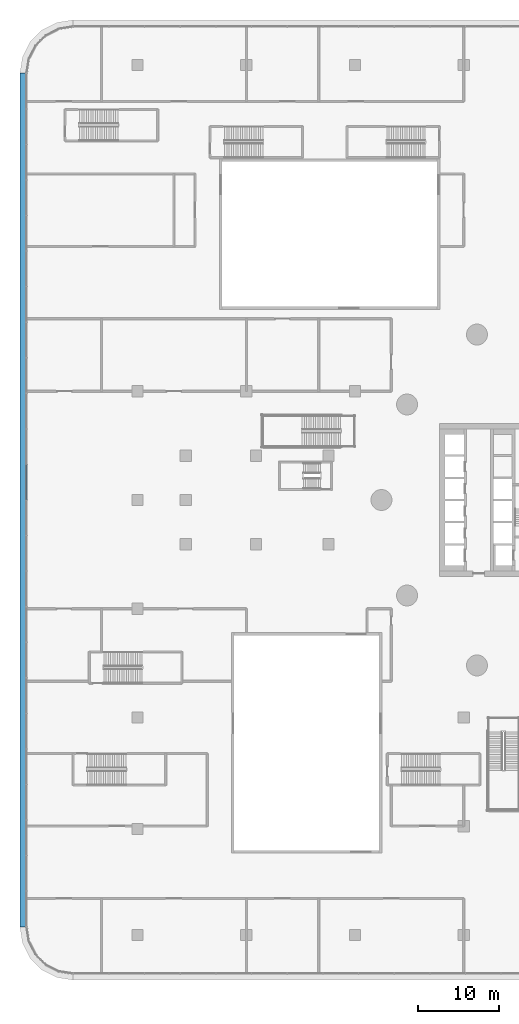
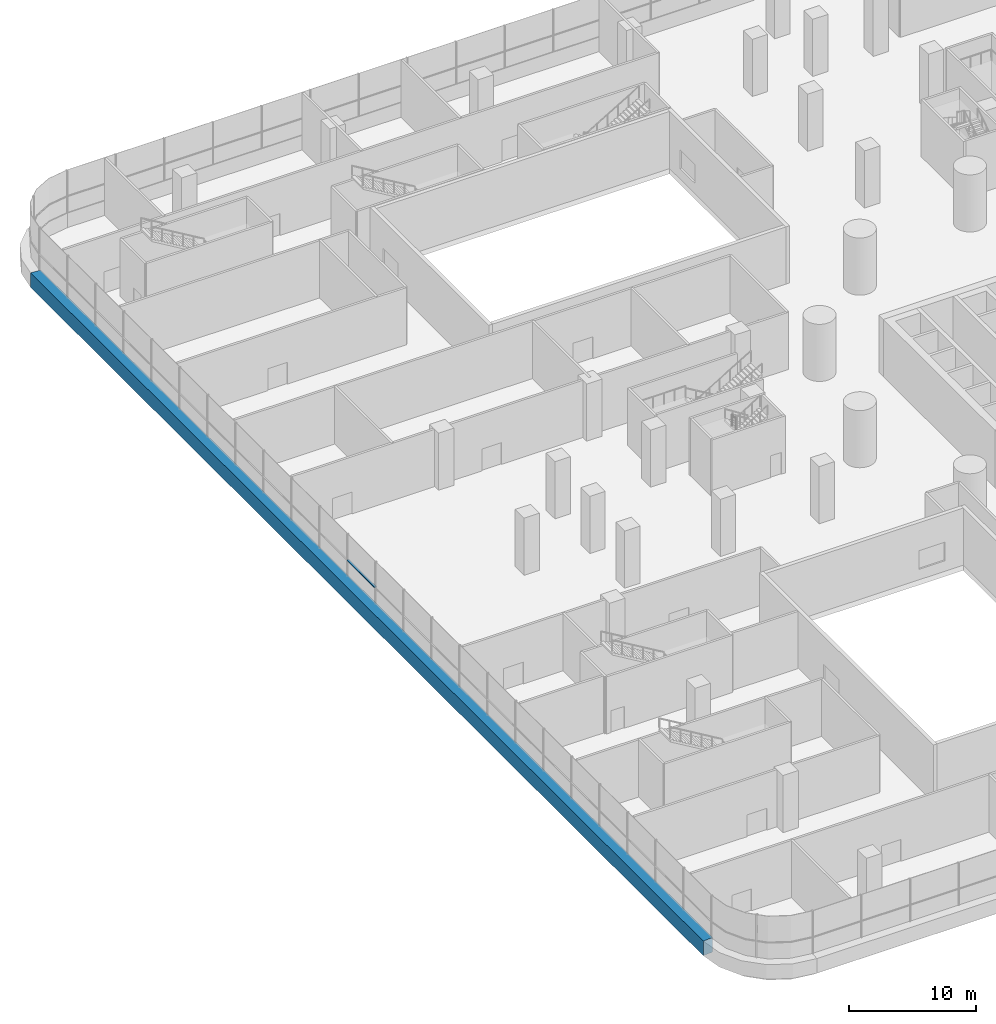
# One storey, part 6 of 52: 2 members, 1 element without a shape of its own.
"""IFC4 building model written with IfcOpenShell, lengths in metres."""

from ifc_helpers import new_model, si_unit, direction, frame, origin, place, context, subcontext, project, spatial, polyline, outline, extrude, material, layer, layer_set, type_object, element, aggregate, save


model = new_model("IFC4")

# Units and contexts
model_context = context("Model", 3, precision=1e-05, world=origin(), true_north=direction((0.0, 1.0)))
body_context = subcontext(model_context, "Body", "Model", "MODEL_VIEW")
ifc_project = project(units=[si_unit("LENGTHUNIT", "METRE"), si_unit("AREAUNIT", "SQUARE_METRE"), si_unit("VOLUMEUNIT", "CUBIC_METRE"), si_unit("PLANEANGLEUNIT", "RADIAN"), si_unit("MASSUNIT", "GRAM", prefix="KILO")], contexts=[model_context])

# Site, building, storey
site_placement = place(None, origin())
site = spatial("IfcSite", under=ifc_project, at=site_placement, CompositionType="ELEMENT")
building_placement = place(site_placement, origin())
building = spatial("IfcBuilding", under=site, at=building_placement, Name="Tamarind Cross Interchange Tower", CompositionType="ELEMENT")
storey_placement = place(building_placement, frame((0.0, 0.0, 9.0)))
storey = spatial("IfcBuildingStorey", under=building, at=storey_placement, Name="L01", CompositionType="ELEMENT", Elevation=9.0)

# Curtain wall, members
ifc_material_1 = material(Name="Aluminium 6063-T6", Category="aluminium")
ifc_layer = layer(ifc_material_1, 0.199951171875)
ifc_layer_set = layer_set([ifc_layer], Name="Aluminium 6063-T6")
curtain_wall_type = type_object("IfcCurtainWallType", Name="Podium shopfront and station curtain wall", PredefinedType="NOTDEFINED", material=ifc_layer_set)
curtain_wall_placement = place(storey_placement, origin())
curtain_wall = element("IfcCurtainWall", 1, at=curtain_wall_placement, inside=storey, type_object=curtain_wall_type, Name="CWS-L01-04", PredefinedType="NOTDEFINED")
ifc_material_2 = material(Name="Aluminium and insulated spandrel panel", Category="aluminium")
member_type_1 = type_object("IfcMemberType", Name="Floor-edge blade transom", PredefinedType="USERDEFINED", material=ifc_material_2)
member_1_placement = place(storey_placement, origin())
member_1 = element("IfcMember", 2, at=member_1_placement, type_object=member_type_1, Name="CWT-L01-04", ObjectType="TRANSOM", PredefinedType="USERDEFINED", context=body_context, shape_type="SweptSolid", body=[
    extrude(outline(polyline([(-67.699951171875, 52.976318359375), (-67.699951171875, -52.976318359375), (-68.60009765625, -53.047119140625), (-68.60009765625, 53.047119140625), (-67.699951171875, 52.976318359375)])), origin(), (0.0, 0.0, 1.0), 1.39990234375),
])
member_type_2 = type_object("IfcMemberType", Name="Podium intermediate transom", PredefinedType="USERDEFINED", material=ifc_material_1)
member_2_placement = place(storey_placement, frame((0.0, 0.0, 2.969970703125)))
member_2 = element("IfcMember", 3, at=member_2_placement, type_object=member_type_2, Name="CWT-L01-04-I0-11", ObjectType="TRANSOM", PredefinedType="USERDEFINED", context=body_context, shape_type="SweptSolid", body=[
    extrude(outline(polyline([(-67.699951171875, 4.375244140625), (-67.699951171875, 0.0400390625), (-67.89990234375, 0.0400390625), (-67.89990234375, 4.375244140625), (-67.699951171875, 4.375244140625)])), origin(), (0.0, 0.0, 1.0), 0.06005859375),
])
aggregate(curtain_wall, [member_2, member_1])

save(model, "model.ifc")
